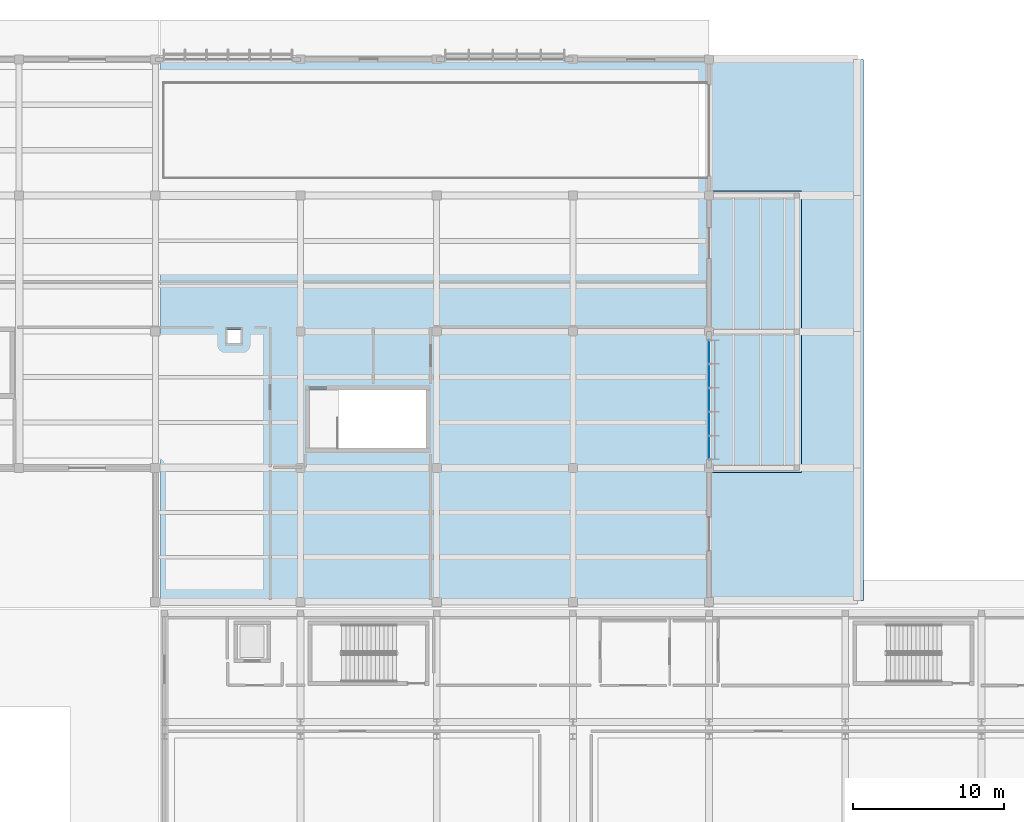
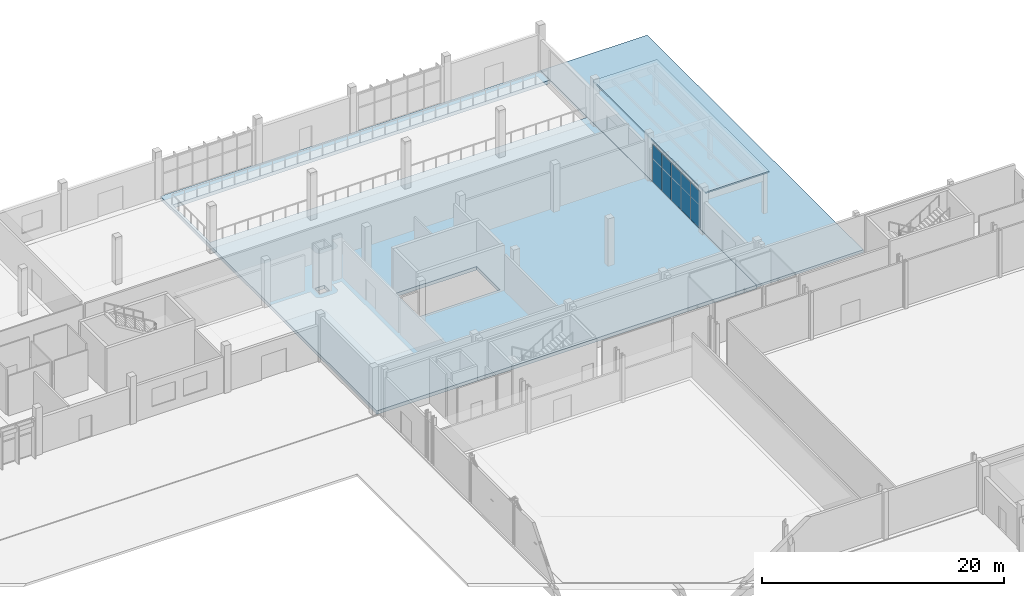
# One storey, part 111 of 151: 5 plates, 3 slabs, 1 element without a shape of its own.
"""IFC4 building model written with IfcOpenShell, lengths in metres."""

import ifcopenshell
import ifcopenshell.guid

model = None  # the IFC model being written
_history = None  # IfcOwnerHistory: only IFC2X3 demands one
_inside = {}  # id of a spatial element -> (the spatial element, [elements in it])
_under = {}  # id of a project, library or spatial element -> (it, [spatial elements below it])
_declared = {}  # id of a project -> (the project, [libraries it declares])
_typed = {}  # id of a type object -> (the type object, [elements of that type])
_made_of = {}  # id of a material, layer set ... -> (it, [elements and type objects made of it])


def new_model(schema):
    """Start an empty IFC model of exactly this schema.

    Asked for "IFC4X3", IfcOpenShell would pick the latest addendum, in which some entities
    have other attributes; the version numbers below select the first issue.
    IFC2X3 requires an IfcOwnerHistory on every rooted entity: one is made here for all.
    """
    global model, _history
    if schema == "IFC4X3":
        model = ifcopenshell.file(schema_version=(4, 3, 0, 0))
    else:
        model = ifcopenshell.file(schema=schema)
    _inside.clear()
    _under.clear()
    _declared.clear()
    _typed.clear()
    _made_of.clear()
    _history = None
    if model.schema == "IFC2X3":
        org = make("IfcOrganization", Name="unknown")
        user = make(
            "IfcPersonAndOrganization",
            ThePerson=make("IfcPerson", FamilyName="unknown"),
            TheOrganization=org,
        )
        app = make(
            "IfcApplication",
            ApplicationDeveloper=org,
            Version="unknown",
            ApplicationFullName="unknown",
            ApplicationIdentifier="unknown",
        )
        _history = make(
            "IfcOwnerHistory",
            OwningUser=user,
            OwningApplication=app,
            ChangeAction="ADDED",
            CreationDate=0,
        )
    return model


def make(cls, **values):
    """One entity of the class cls with the attributes given. An attribute that is None is left unset."""
    return model.create_entity(
        cls, **{name: value for name, value in values.items() if value is not None}
    )


def rooted(cls, **values):
    """An entity with a GlobalId (a new one), such as an element, a storey or a relation."""
    return make(cls, GlobalId=ifcopenshell.guid.new(), OwnerHistory=_history, **values)


def si_unit(unit_type, name, prefix=None):
    """IfcSIUnit, for example si_unit("LENGTHUNIT", "METRE", prefix="MILLI")."""
    return make("IfcSIUnit", UnitType=unit_type, Prefix=prefix, Name=name)


def assignment(units):
    """IfcUnitAssignment: the units of a project."""
    return None if units is None else make("IfcUnitAssignment", Units=units)


def point(xyz):
    """IfcCartesianPoint."""
    return None if xyz is None else make("IfcCartesianPoint", Coordinates=xyz)


def direction(xyz):
    """IfcDirection."""
    return None if xyz is None else make("IfcDirection", DirectionRatios=xyz)


def frame(location, z_axis=None, x_axis=None):
    """IfcAxis2Placement3D, a coordinate frame: its origin and axes. An axis left out is left unset."""
    return make(
        "IfcAxis2Placement3D",
        Location=point(location),
        Axis=direction(z_axis),
        RefDirection=direction(x_axis),
    )


def frame_2d(location, x_axis=None):
    """IfcAxis2Placement2D, a coordinate frame in the plane: its origin and x axis."""
    return make(
        "IfcAxis2Placement2D", Location=point(location), RefDirection=direction(x_axis)
    )


def origin():
    """The frame at (0, 0, 0) with its axes left unset."""
    return frame((0.0, 0.0, 0.0))


def origin_2d():
    """The frame at (0, 0) in the plane with its x axis left unset."""
    return frame_2d((0.0, 0.0))


def place(relative_to, where):
    """IfcLocalPlacement: puts the frame where relative to a parent placement (None: the world)."""
    return make(
        "IfcLocalPlacement", PlacementRelTo=relative_to, RelativePlacement=where
    )


def context(
    kind, dimensions, precision=None, world=None, true_north=None, identifier=None
):
    """IfcGeometricRepresentationContext, for example the 3D "Model" context."""
    return make(
        "IfcGeometricRepresentationContext",
        ContextIdentifier=identifier,
        ContextType=kind,
        CoordinateSpaceDimension=dimensions,
        Precision=precision,
        WorldCoordinateSystem=world,
        TrueNorth=true_north,
    )


def subcontext(parent, identifier, kind, view, scale=None):
    """IfcGeometricRepresentationSubContext, for example "Body" below "Model"."""
    return make(
        "IfcGeometricRepresentationSubContext",
        ContextIdentifier=identifier,
        ContextType=kind,
        ParentContext=parent,
        TargetScale=scale,
        TargetView=view,
    )


def project(units=None, contexts=None):
    """IfcProject with its units and contexts."""
    return rooted(
        "IfcProject",
        Name="project",
        RepresentationContexts=contexts,
        UnitsInContext=assignment(units),
    )


def spatial(cls, under=None, at=None, **own):
    """A site, building, storey or space (cls), placed at a placement, below another one or the project."""
    s = rooted(cls, ObjectPlacement=at, **own)
    if under is not None:
        _under.setdefault(under.id(), (under, []))[1].append(s)
    return s


def polyline(points):
    """IfcPolyline through the points."""
    return make("IfcPolyline", Points=[point(p) for p in points])


def profile(cls, at=None, kind="AREA", **sizes):
    """A parametric profile (cls). Its sizes go by their IFC names, for example OverallWidth=200.0."""
    return make(cls, ProfileType=kind, Position=at, **sizes)


def rectangle(**sizes):
    """IfcRectangleProfileDef."""
    return profile("IfcRectangleProfileDef", **sizes)


def outline(outer, holes=None, kind="AREA"):
    """IfcArbitraryClosedProfileDef: a profile drawn as a closed curve; with holes, ...WithVoids."""
    if holes is None:
        return make("IfcArbitraryClosedProfileDef", ProfileType=kind, OuterCurve=outer)
    return make(
        "IfcArbitraryProfileDefWithVoids",
        ProfileType=kind,
        OuterCurve=outer,
        InnerCurves=holes,
    )


def extrude(swept, where, along, depth):
    """IfcExtrudedAreaSolid: the profile swept, set in the frame where, extruded along a direction by depth."""
    return make(
        "IfcExtrudedAreaSolid",
        SweptArea=swept,
        Position=where,
        ExtrudedDirection=direction(along),
        Depth=depth,
    )


def shape(context_of_items, identifier, shape_type, items):
    """IfcShapeRepresentation: the items that make up one representation, for example the "Body"."""
    return make(
        "IfcShapeRepresentation",
        ContextOfItems=context_of_items,
        RepresentationIdentifier=identifier,
        RepresentationType=shape_type,
        Items=items,
    )


def material(Name=None, Category=None):
    """IfcMaterial."""
    return make("IfcMaterial", Name=Name, Category=Category)


def layer(
    of_material, thickness, ventilated=None, Name=None, Category=None, Priority=None
):
    """IfcMaterialLayer: one layer of a wall or slab, of a material (None: an air gap)."""
    return make(
        "IfcMaterialLayer",
        Material=of_material,
        LayerThickness=thickness,
        IsVentilated=ventilated,
        Name=Name,
        Category=Category,
        Priority=Priority,
    )


def layer_set(layers, Name=None):
    """IfcMaterialLayerSet."""
    return make("IfcMaterialLayerSet", MaterialLayers=layers, LayerSetName=Name)


def made_of(thing, what):
    """Note that an element or type object is made of a material, layer set ...; save() writes the relation."""
    if what is not None:
        _made_of.setdefault(what.id(), (what, []))[1].append(thing)
    return thing


def type_object(cls, material=None, **own):
    """A type object (cls), such as IfcWallType, which elements share."""
    return made_of(rooted(cls, **own), material)


def element(
    cls,
    number,
    at=None,
    inside=None,
    cuts=None,
    type_object=None,
    material=None,
    context=None,
    identifier="Body",
    shape_type=None,
    held_by="IfcProductDefinitionShape",
    body=None,
    shapes=None,
    **own,
):
    """One element of the class cls, such as IfcWall. Its Tag is "e" and its number.

    at: its placement. inside: the storey or other place that contains it. cuts: it is an
    opening in that element (IfcRelVoidsElement). A single representation is given by context,
    identifier, shape_type and body (its items); several are given by shapes. held_by: the class
    of the entity that holds the representations. save() writes the other relations.
    """
    e = rooted(cls, Tag="e%d" % number, ObjectPlacement=at, **own)
    if body is not None:
        shapes = [shape(context, identifier, shape_type, body)]
    if shapes is not None:
        e.Representation = make(held_by, Representations=shapes)
    if inside is not None:
        _inside.setdefault(inside.id(), (inside, []))[1].append(e)
    if cuts is not None:
        rooted(
            "IfcRelVoidsElement", RelatingBuildingElement=cuts, RelatedOpeningElement=e
        )
    if type_object is not None:
        _typed.setdefault(type_object.id(), (type_object, []))[1].append(e)
    return made_of(e, material)


def aggregate(whole, parts):
    """IfcRelAggregates: a whole, such as a stair, and the parts it consists of."""
    return rooted("IfcRelAggregates", RelatingObject=whole, RelatedObjects=parts)


def save(model, path):
    """Write the relations noted so far, then the file.

    IfcRelAggregates (storeys below a building ...), IfcRelContainedInSpatialStructure (elements
    in a storey), IfcRelDefinesByType, IfcRelAssociatesMaterial and IfcRelDeclares: one each for
    every whole, place, type object, material and project.
    """
    for whole, parts in _under.values():
        aggregate(whole, parts)
    for where, things in _inside.values():
        rooted(
            "IfcRelContainedInSpatialStructure",
            RelatedElements=things,
            RelatingStructure=where,
        )
    for kind, things in _typed.values():
        rooted("IfcRelDefinesByType", RelatedObjects=things, RelatingType=kind)
    for what, things in _made_of.values():
        rooted("IfcRelAssociatesMaterial", RelatedObjects=things, RelatingMaterial=what)
    for by, libraries in _declared.values():
        rooted("IfcRelDeclares", RelatingContext=by, RelatedDefinitions=libraries)
    model.write(path)


model = new_model("IFC4")

# Units and contexts
model_context = context("Model", 3, precision=1e-05, world=origin(), true_north=direction((0.0, 1.0)))
body_context = subcontext(model_context, "Body", "Model", "MODEL_VIEW")
ifc_project = project(units=[si_unit("LENGTHUNIT", "METRE"), si_unit("AREAUNIT", "SQUARE_METRE"), si_unit("VOLUMEUNIT", "CUBIC_METRE"), si_unit("PLANEANGLEUNIT", "RADIAN"), si_unit("MASSUNIT", "GRAM", prefix="KILO")], contexts=[model_context])

# Site, building, storey
site_placement = place(None, origin())
site = spatial("IfcSite", under=ifc_project, at=site_placement, CompositionType="ELEMENT")
building_placement = place(site_placement, origin())
building = spatial("IfcBuilding", under=site, at=building_placement, Name="Chiffa Square Polytechnic", CompositionType="ELEMENT")
storey_placement = place(building_placement, origin())
storey = spatial("IfcBuildingStorey", under=building, at=storey_placement, Name="L00", CompositionType="ELEMENT", Elevation=0.0)

# Curtain wall, plates
ifc_material_1 = material(Name="Aluminium EN AW-6060 T66 and glulam shading", Category="wood")
curtain_wall_type = type_object("IfcCurtainWallType", Name="CW-VERT-480X380", PredefinedType="USERDEFINED", material=ifc_material_1)
curtain_wall_placement = place(storey_placement, origin())
curtain_wall = element("IfcCurtainWall", 1, at=curtain_wall_placement, inside=storey, type_object=curtain_wall_type, Name="Curtain wall CW-V5-L00-190", ObjectType="CURTAIN WALL", PredefinedType="USERDEFINED")
ifc_material_2 = material(Name="Double glazing", Category="glass")
ifc_layer_1 = layer(ifc_material_2, 0.0458984375, Name="Double glazing")
ifc_layer_set_1 = layer_set([ifc_layer_1], Name="Double glazing")
plate_type = type_object("IfcPlateType", Name="CWP-GLZ-130X110", PredefinedType="CURTAIN_PANEL", material=ifc_layer_set_1)
plate_1_placement = place(storey_placement, frame((148.199951171875, 105.14306640625, 0.049560546875), z_axis=(0.0, 0.0, 1.0), x_axis=(0.0, 1.0, 0.0)))
plate_1 = element("IfcPlate", 2, at=plate_1_placement, type_object=plate_type, Name="Glazed curtain panel CW-V5-L00-190-PN01", PredefinedType="CURTAIN_PANEL", context=body_context, shape_type="SweptSolid", body=[
    extrude(rectangle(XDim=1.510009765625, YDim=0.0458984375, at=origin_2d()), origin(), (0.0, 0.0, 1.0), 3.7548828125),
])
plate_2_placement = place(storey_placement, frame((148.199951171875, 106.716064453125, 0.049560546875), z_axis=(0.0, 0.0, 1.0), x_axis=(0.0, 1.0, 0.0)))
plate_2 = element("IfcPlate", 3, at=plate_2_placement, type_object=plate_type, Name="Glazed curtain panel CW-V5-L00-190-PN02", PredefinedType="CURTAIN_PANEL", context=body_context, shape_type="SweptSolid", body=[
    extrude(rectangle(XDim=1.531982421875, YDim=0.0458984375, at=origin_2d()), origin(), (0.0, 0.0, 1.0), 3.7548828125),
])
plate_3_placement = place(storey_placement, frame((148.199951171875, 108.300048828125, 0.049560546875), z_axis=(0.0, 0.0, 1.0), x_axis=(0.0, 1.0, 0.0)))
plate_3 = element("IfcPlate", 4, at=plate_3_placement, type_object=plate_type, Name="Glazed curtain panel CW-V5-L00-190-PN03", PredefinedType="CURTAIN_PANEL", context=body_context, shape_type="SweptSolid", body=[
    extrude(rectangle(XDim=1.531982421875, YDim=0.0458984375, at=origin_2d()), origin(), (0.0, 0.0, 1.0), 3.7548828125),
])
plate_4_placement = place(storey_placement, frame((148.199951171875, 109.884033203125, 0.049560546875), z_axis=(0.0, 0.0, 1.0), x_axis=(0.0, 1.0, 0.0)))
plate_4 = element("IfcPlate", 5, at=plate_4_placement, type_object=plate_type, Name="Glazed curtain panel CW-V5-L00-190-PN04", PredefinedType="CURTAIN_PANEL", context=body_context, shape_type="SweptSolid", body=[
    extrude(rectangle(XDim=1.531982421875, YDim=0.0458984375, at=origin_2d()), origin(), (0.0, 0.0, 1.0), 3.7548828125),
])
plate_5_placement = place(storey_placement, frame((148.199951171875, 111.45703125, 0.049560546875), z_axis=(0.0, 0.0, 1.0), x_axis=(0.0, 1.0, 0.0)))
plate_5 = element("IfcPlate", 6, at=plate_5_placement, type_object=plate_type, Name="Glazed curtain panel CW-V5-L00-190-PN05", PredefinedType="CURTAIN_PANEL", context=body_context, shape_type="SweptSolid", body=[
    extrude(rectangle(XDim=1.510009765625, YDim=0.0458984375, at=origin_2d()), origin(), (0.0, 0.0, 1.0), 3.7548828125),
])
aggregate(curtain_wall, [plate_1, plate_2, plate_3, plate_4, plate_5])

# Slabs
ifc_material_3 = material(Name="Limestone paving on compacted sub-base", Category="masonry")
ifc_layer_2 = layer(ifc_material_3, 0.239990234375, Name="Limestone paving on compacted sub-base")
ifc_layer_set_2 = layer_set([ifc_layer_2], Name="Limestone paving on compacted sub-base")
slab_type_1 = type_object("IfcSlabType", Name="SLB-APRON-BASE-240", PredefinedType="FLOOR", material=ifc_layer_set_2)
slab_1_placement = place(storey_placement, frame((0.0, 0.0, -0.239990234375)))
element("IfcSlab", 7, at=slab_1_placement, inside=storey, type_object=slab_type_1, Name="Exterior colonnade and yard apron SLB-APRON-V5-RAMP", PredefinedType="FLOOR", context=body_context, shape_type="SweptSolid", body=[
    extrude(outline(polyline([(158.39990234375, 130.800048828125), (158.39990234375, 95.050048828125), (148.2119140625, 95.050048828125), (148.2119140625, 123.0), (148.199951171875, 123.011962890625), (148.199951171875, 129.18798828125), (148.2119140625, 129.199951171875), (148.2119140625, 130.800048828125), (158.39990234375, 130.800048828125)])), origin(), (0.0, 0.0, 1.0), 0.239990234375),
])
ifc_material_4 = material(Name="Concrete C40/50", Category="concrete")
ifc_layer_3 = layer(ifc_material_4, 0.35009765625, Name="Concrete C40/50")
ifc_layer_set_3 = layer_set([ifc_layer_3], Name="Concrete C40/50")
slab_type_2 = type_object("IfcSlabType", Name="SLB-FLR-350", PredefinedType="FLOOR", material=ifc_layer_set_3)
slab_2_placement = place(storey_placement, frame((0.0, 0.0, -0.35009765625)))
element("IfcSlab", 8, at=slab_2_placement, inside=storey, type_object=slab_type_2, Name="V5 L00 structural slab SLB-V5-L00-027", PredefinedType="FLOOR", context=body_context, shape_type="SweptSolid", body=[
    extrude(outline(polyline([(148.199951171875, 129.199951171875), (112.199951171875, 129.199951171875), (112.199951171875, 123.0), (148.199951171875, 123.0), (148.199951171875, 95.050048828125), (111.949951171875, 95.050048828125), (111.949951171875, 130.800048828125), (148.199951171875, 130.800048828125), (148.199951171875, 129.199951171875)]), holes=[polyline([(121.800048828125, 108.949951171875), (129.5, 108.949951171875), (129.5, 105.10009765625), (121.800048828125, 105.10009765625), (121.800048828125, 108.949951171875)]), polyline([(116.35009765625, 112.89990234375), (117.25, 112.89990234375), (117.25, 112.050048828125), (116.35009765625, 112.050048828125), (116.35009765625, 112.89990234375)])]), origin(), (0.0, 0.0, 1.0), 0.35009765625),
])
ifc_material_5 = material(Name="CLT C24", Category="wood")
ifc_layer_4 = layer(ifc_material_5, 0.159912109375, Name="CLT C24")
ifc_layer_set_4 = layer_set([ifc_layer_4], Name="CLT C24")
slab_type_3 = type_object("IfcSlabType", Name="SLB-ROOF-160", PredefinedType="ROOF", material=ifc_layer_set_4)
slab_3_placement = place(storey_placement, frame((0.0, 0.0, 4.10009765625)))
element("IfcSlab", 9, at=slab_3_placement, inside=storey, type_object=slab_type_3, Name="NE laboratory entrance framed timber canopy SLB-ROOF-NE-CANOPY", PredefinedType="ROOF", context=body_context, shape_type="SweptSolid", body=[
    extrude(outline(polyline([(148.199951171875, 103.5), (154.300048828125, 103.5), (154.300048828125, 122.10009765625), (148.199951171875, 122.10009765625), (148.199951171875, 103.5)])), origin(), (0.0, 0.0, 1.0), 0.159912109375),
])

save(model, "model.ifc")
